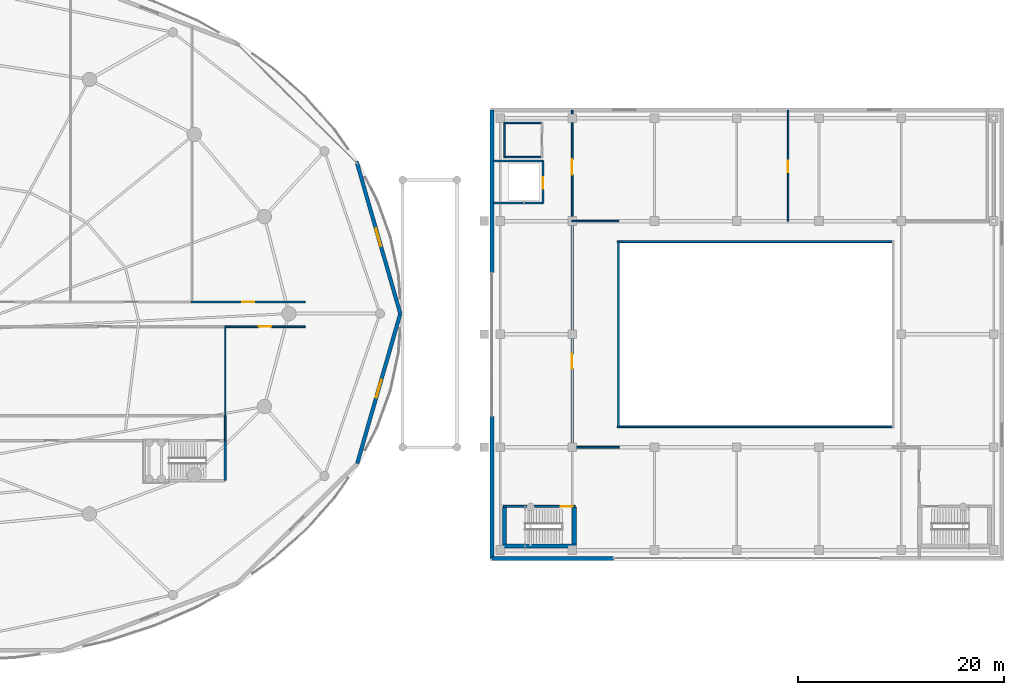
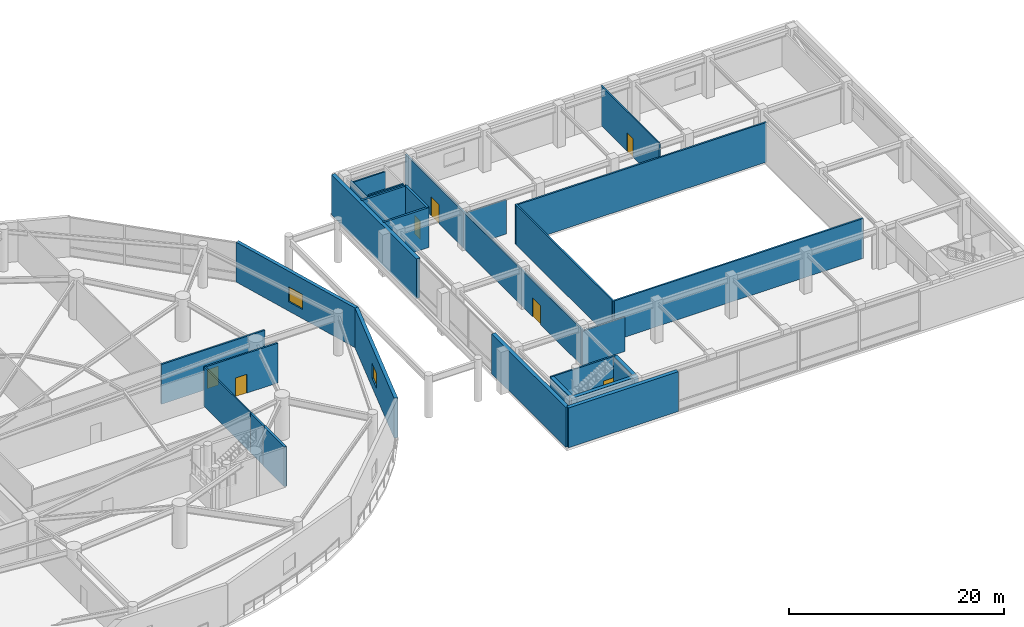
# One storey, part 30 of 40: 28 walls, 7 doors, 2 windows, 9 openings.
"""IFC4 building model written with IfcOpenShell, lengths in metres."""

from ifc_helpers import new_model, si_unit, direction, frame, frame_2d, origin, place, context, subcontext, project, spatial, rectangle, extrude, material, layer, layer_set, type_object, element, fill, save


model = new_model("IFC4")

# Units and contexts
model_context = context("Model", 3, precision=1e-05, world=origin(), true_north=direction((0.0, 1.0)))
body_context = subcontext(model_context, "Body", "Model", "MODEL_VIEW")
ifc_project = project(units=[si_unit("LENGTHUNIT", "METRE"), si_unit("AREAUNIT", "SQUARE_METRE"), si_unit("VOLUMEUNIT", "CUBIC_METRE"), si_unit("PLANEANGLEUNIT", "RADIAN"), si_unit("MASSUNIT", "GRAM", prefix="KILO")], contexts=[model_context])

# Site, building, storey
site_placement = place(None, origin())
site = spatial("IfcSite", under=ifc_project, at=site_placement, CompositionType="ELEMENT")
building_placement = place(site_placement, origin())
building = spatial("IfcBuilding", under=site, at=building_placement, Name="Kazevale Care Tower and Concert Hall", CompositionType="ELEMENT")
storey_placement = place(building_placement, frame((0.0, 0.0, 4.800048828125)))
storey = spatial("IfcBuildingStorey", under=building, at=storey_placement, Name="L01", CompositionType="ELEMENT", Elevation=4.800048828125)

# Walls
ifc_material_1 = material(Name="Acoustic Gypsum on Steel Stud", Category="steel")
ifc_layer_1 = layer(ifc_material_1, 0.139892578125)
ifc_layer_set_1 = layer_set([ifc_layer_1], Name="Acoustic Gypsum on Steel Stud")
wall_type_1 = type_object("IfcWallType", Name="Acoustic Care & Suite Partition 140", PredefinedType="PARTITIONING", material=ifc_layer_set_1)
wall_1_placement = place(storey_placement, frame((70.25, 36.7548828125, 0.0), z_axis=(0.0, 0.0, 1.0), x_axis=(0.0, -1.0, 0.0)))
element("IfcWall", 1, at=wall_1_placement, inside=storey, type_object=wall_type_1, Name="wall:L01:auto_023", PredefinedType="PARTITIONING", context=body_context, shape_type="SweptSolid", body=[
    extrude(rectangle(XDim=8.73486328125, YDim=0.139892578125, at=frame_2d((4.367431640625, 0.0))), origin(), (0.0, 0.0, 1.0), 4.52001953125),
])
wall_2_placement = place(storey_placement, frame((103.969970703125, 47.0, 0.0), z_axis=(0.0, 0.0, 1.0), x_axis=(1.0, 0.0, 0.0)))
element("IfcWall", 2, at=wall_2_placement, inside=storey, type_object=wall_type_1, Name="wall:L01:auto_032", PredefinedType="PARTITIONING", context=body_context, shape_type="SweptSolid", body=[
    extrude(rectangle(XDim=4.56005859375, YDim=0.139892578125, at=frame_2d((2.280029296875, 0.0))), origin(), (0.0, 0.0, 1.0), 3.89892578125),
])

# Wall, opening, door
wall_3_placement = place(storey_placement, frame((125.0, 57.7900390625, 0.0), z_axis=(0.0, 0.0, 1.0), x_axis=(0.0, -1.0, 0.0)))
wall_3 = element("IfcWall", 3, at=wall_3_placement, inside=storey, type_object=wall_type_1, Name="wall:L01:auto_033", PredefinedType="PARTITIONING", context=body_context, shape_type="SweptSolid", body=[
    extrude(rectangle(XDim=10.820068359375, YDim=0.139892578125, at=frame_2d((5.41015625, 0.0))), origin(), (0.0, 0.0, 1.0), 4.52001953125),
])
opening_1_placement = place(wall_3_placement, frame((4.9150390625, 0.0, 0.0)))
opening_1 = element("IfcOpeningElement", 4, at=opening_1_placement, cuts=wall_3, Name="Opening ID-1100", PredefinedType="OPENING", context=body_context, shape_type="SweptSolid", body=[
    extrude(rectangle(XDim=1.10009765625, YDim=2.10009765625, at=frame_2d((0.550048828125, 1.050048828125))), frame((0.0, 0.079833984375, 0.0), z_axis=(0.0, -1.0, 0.0), x_axis=(1.0, 0.0, 0.0)), (0.0, 0.0, 1.0), 0.159912109375),
])
ifc_material_2 = material(Name="Oak Timber Fire Leaf", Category="wood")
door_type_1 = type_object("IfcDoorType", Name="Care Bedroom Accessible Door 1100x2100", OperationType="NOTDEFINED", PredefinedType="DOOR", material=ifc_material_2)
door_1_placement = place(opening_1_placement, origin())
door_1 = element("IfcDoor", 5, at=door_1_placement, inside=storey, type_object=door_type_1, Name="door:L01:ad_033", OperationType="SINGLE_SWING_LEFT", OverallHeight=2.10009765625, OverallWidth=1.10009765625, PredefinedType="DOOR", context=body_context, shape_type="SweptSolid", body=[
    extrude(rectangle(XDim=1.10009765625, YDim=2.10009765625, at=frame_2d((0.550048828125, 1.050048828125))), frame((0.0, 0.02490234375, 0.0), z_axis=(0.0, -1.0, 0.0), x_axis=(1.0, 0.0, 0.0)), (0.0, 0.0, 1.0), 0.050048828125),
])
fill(opening_1, door_1)

# Walls
ifc_material_3 = material(Name="Concrete C40 with Honed Limestone Cladding", Category="masonry")
ifc_layer_2 = layer(ifc_material_3, 0.39990234375)
ifc_layer_set_2 = layer_set([ifc_layer_2], Name="Concrete C40 with Honed Limestone Cladding")
wall_type_2 = type_object("IfcWallType", Name="Concert Hall Acoustic Limestone Wall 400", PredefinedType="STANDARD", material=ifc_layer_set_2)
wall_4_placement = place(storey_placement, frame((96.199951171875, 14.199951171875, 0.0), z_axis=(0.0, 0.0, 1.0), x_axis=(1.0, 0.0, 0.0)))
element("IfcWall", 6, at=wall_4_placement, inside=storey, type_object=wall_type_2, Name="wall:L01:hallew:S1", PredefinedType="STANDARD", context=body_context, shape_type="SweptSolid", body=[
    extrude(rectangle(XDim=11.800048828125, YDim=0.39990234375, at=frame_2d((5.89990234375, 0.0))), origin(), (0.0, 0.0, 1.0), 4.52001953125),
])
wall_5_placement = place(storey_placement, frame((96.199951171875, 57.800048828125, 0.0), z_axis=(0.0, 0.0, 1.0), x_axis=(0.0, -1.0, 0.0)))
element("IfcWall", 7, at=wall_5_placement, inside=storey, type_object=wall_type_2, Name="wall:L01:hallew:W1", PredefinedType="STANDARD", context=body_context, shape_type="SweptSolid", body=[
    extrude(rectangle(XDim=15.800048828125, YDim=0.39990234375, at=frame_2d((7.89990234375, 0.0))), origin(), (0.0, 0.0, 1.0), 4.52001953125),
])
wall_6_placement = place(storey_placement, frame((96.199951171875, 28.0, 0.0), z_axis=(0.0, 0.0, 1.0), x_axis=(0.0, -1.0, 0.0)))
element("IfcWall", 8, at=wall_6_placement, inside=storey, type_object=wall_type_2, Name="wall:L01:hallew:W3", PredefinedType="STANDARD", context=body_context, shape_type="SweptSolid", body=[
    extrude(rectangle(XDim=13.800048828125, YDim=0.39990234375, at=frame_2d((6.89990234375, 0.0))), origin(), (0.0, 0.0, 1.0), 4.52001953125),
])
ifc_material_4 = material(Name="Concrete C50", Category="concrete")
ifc_layer_3 = layer(ifc_material_4, 0.39990234375)
ifc_layer_set_3 = layer_set([ifc_layer_3], Name="Concrete C50")
wall_type_3 = type_object("IfcWallType", Name="Concert Hall Shear Core Wall 400 C50", PredefinedType="SHEAR", material=ifc_layer_set_3)
wall_7_placement = place(storey_placement, frame((97.199951171875, 15.39990234375, 0.0), z_axis=(0.0, 0.0, 1.0), x_axis=(1.0, 0.0, 0.0)))
element("IfcWall", 9, at=wall_7_placement, inside=storey, type_object=wall_type_3, Name="wall:L01:ST4:S", PredefinedType="SHEAR", context=body_context, shape_type="SweptSolid", body=[
    extrude(rectangle(XDim=7.199951171875, YDim=0.39990234375, at=frame_2d((3.60009765625, 0.0))), origin(), (0.0, 0.0, 1.0), 4.52001953125),
])
for number, where, z_axis, x_axis, name in (
    (10, (97.39990234375, 15.60009765625, 0.0), (0.0, 0.0, 1.0), (0.0, 1.0, 0.0), "wall:L01:ST4:W"),
    (11, (104.199951171875, 15.60009765625, 0.0), (0.0, 0.0, 1.0), (0.0, 1.0, 0.0), "wall:L01:ST4:E"),
):
    element("IfcWall", number, at=place(storey_placement, frame(where, z_axis=z_axis, x_axis=x_axis)), inside=storey, type_object=wall_type_3, Name=name, PredefinedType="SHEAR", context=body_context, shape_type="SweptSolid", body=[
        extrude(rectangle(XDim=3.599853515625, YDim=0.39990234375, at=frame_2d((1.7998046875, 0.0))), origin(), (0.0, 0.0, 1.0), 4.52001953125),
    ])
ifc_material_5 = material(Name="Concrete C40", Category="concrete")
ifc_layer_4 = layer(ifc_material_5, 0.219970703125)
ifc_layer_set_4 = layer_set([ifc_layer_4], Name="Concrete C40")
wall_type_4 = type_object("IfcWallType", Name="Elevator Hoistway Shaft Wall 220", PredefinedType="SOLIDWALL", material=ifc_layer_set_4)
for number, where, z_axis, x_axis, name in (
    (12, (96.300048828125, 52.85009765625, 0.0), (0.0, 0.0, 1.0), (1.0, 0.0, 0.0), "wall:L01:hall_chl_n"),
    (13, (96.300048828125, 48.75, 0.0), (0.0, 0.0, 1.0), (1.0, 0.0, 0.0), "wall:L01:hall_chl_s"),
):
    element("IfcWall", number, at=place(storey_placement, frame(where, z_axis=z_axis, x_axis=x_axis)), inside=storey, type_object=wall_type_4, Name=name, PredefinedType="SOLIDWALL", context=body_context, shape_type="SweptSolid", body=[
        extrude(rectangle(XDim=4.89990234375, YDim=0.219970703125, at=frame_2d((2.449951171875, 0.0))), origin(), (0.0, 0.0, 1.0), 4.52001953125),
    ])

# Wall, opening, door
wall_8_placement = place(storey_placement, frame((101.14990234375, 48.75, 0.0), z_axis=(0.0, 0.0, 1.0), x_axis=(0.0, 1.0, 0.0)))
wall_8 = element("IfcWall", 14, at=wall_8_placement, inside=storey, type_object=wall_type_4, Name="wall:L01:hall_chl_e", PredefinedType="SOLIDWALL", context=body_context, shape_type="SweptSolid", body=[
    extrude(rectangle(XDim=4.10009765625, YDim=0.219970703125, at=frame_2d((2.050048828125, 0.0))), origin(), (0.0, 0.0, 1.0), 4.52001953125),
])
opening_2_placement = place(wall_8_placement, frame((1.39990234375, 0.0, 0.0)))
opening_2 = element("IfcOpeningElement", 15, at=opening_2_placement, cuts=wall_8, Name="Opening LD-PAX", PredefinedType="OPENING", context=body_context, shape_type="SweptSolid", body=[
    extrude(rectangle(XDim=1.10009765625, YDim=2.10009765625, at=frame_2d((0.550048828125, 1.050048828125))), frame((0.0, 0.119873046875, 0.0), z_axis=(0.0, -1.0, 0.0), x_axis=(1.0, 0.0, 0.0)), (0.0, 0.0, 1.0), 0.239990234375),
])
ifc_material_6 = material(Name="Stainless Steel 316", Category="steel")
door_type_2 = type_object("IfcDoorType", Name="Passenger Lift Sliding Landing Door 1100x2100", OperationType="NOTDEFINED", PredefinedType="DOOR", material=ifc_material_6)
door_2_placement = place(opening_2_placement, origin())
door_2 = element("IfcDoor", 16, at=door_2_placement, inside=storey, type_object=door_type_2, Name="door:L01:ld_chl1", OperationType="SLIDING_TO_LEFT", OverallHeight=2.10009765625, OverallWidth=1.10009765625, PredefinedType="DOOR", context=body_context, shape_type="SweptSolid", body=[
    extrude(rectangle(XDim=1.10009765625, YDim=2.10009765625, at=frame_2d((0.550048828125, 1.050048828125))), frame((0.0, 0.02490234375, 0.0), z_axis=(0.0, -1.0, 0.0), x_axis=(1.0, 0.0, 0.0)), (0.0, 0.0, 1.0), 0.050048828125),
])
fill(opening_2, door_2)

ifc_material_7 = material(Name="Concrete C40 and Acoustic Gypsum", Category="concrete")
ifc_layer_5 = layer(ifc_material_7, 0.179931640625)
ifc_layer_set_5 = layer_set([ifc_layer_5], Name="Concrete C40 and Acoustic Gypsum")
wall_type_5 = type_object("IfcWallType", Name="Fire-Rated Corridor & Party Wall 180", PredefinedType="PARTITIONING", material=ifc_layer_set_5)
wall_9_placement = place(storey_placement, frame((66.93505859375, 39.125, 0.0), z_axis=(0.0, 0.0, 1.0), x_axis=(1.0, 0.0, 0.0)))
wall_9 = element("IfcWall", 17, at=wall_9_placement, inside=storey, type_object=wall_type_5, Name="wall:L01:auto_006", PredefinedType="PARTITIONING", context=body_context, shape_type="SweptSolid", body=[
    extrude(rectangle(XDim=11.094970703125, YDim=0.179931640625, at=frame_2d((5.54736328125, 0.0))), origin(), (0.0, 0.0, 1.0), 4.52001953125),
])
opening_3_placement = place(wall_9_placement, frame((4.947998046875, 0.0, 0.0)))
opening_3 = element("IfcOpeningElement", 18, at=opening_3_placement, cuts=wall_9, Name="Opening ID-1200", PredefinedType="OPENING", context=body_context, shape_type="SweptSolid", body=[
    extrude(rectangle(XDim=1.199951171875, YDim=2.14990234375, at=frame_2d((0.60009765625, 1.074951171875))), frame((0.0, 0.099853515625, 0.0), z_axis=(0.0, -1.0, 0.0), x_axis=(1.0, 0.0, 0.0)), (0.0, 0.0, 1.0), 0.199951171875),
])
door_type_3 = type_object("IfcDoorType", Name="Clinical & Therapy Door 1200x2150", OperationType="NOTDEFINED", PredefinedType="DOOR", material=ifc_material_2)
door_3_placement = place(opening_3_placement, origin())
door_3 = element("IfcDoor", 19, at=door_3_placement, inside=storey, type_object=door_type_3, Name="door:L01:ad_006", OperationType="SINGLE_SWING_LEFT", OverallHeight=2.14990234375, OverallWidth=1.199951171875, PredefinedType="DOOR", context=body_context, shape_type="SweptSolid", body=[
    extrude(rectangle(XDim=1.199951171875, YDim=2.14990234375, at=frame_2d((0.60009765625, 1.074951171875))), frame((0.0, 0.02490234375, 0.0), z_axis=(0.0, -1.0, 0.0), x_axis=(1.0, 0.0, 0.0)), (0.0, 0.0, 1.0), 0.050048828125),
])
fill(opening_3, door_3)

wall_10_placement = place(storey_placement, frame((78.030029296875, 36.72509765625, 0.0), z_axis=(0.0, 0.0, 1.0), x_axis=(-1.0, 0.0, 0.0)))
wall_10 = element("IfcWall", 20, at=wall_10_placement, inside=storey, type_object=wall_type_5, Name="wall:L01:auto_011", PredefinedType="PARTITIONING", context=body_context, shape_type="SweptSolid", body=[
    extrude(rectangle(XDim=7.844970703125, YDim=0.179931640625, at=frame_2d((3.92236328125, 0.0))), origin(), (0.0, 0.0, 1.0), 4.52001953125),
])
opening_4_placement = place(wall_10_placement, frame((3.322021484375, 0.0, 0.0)))
opening_4 = element("IfcOpeningElement", 21, at=opening_4_placement, cuts=wall_10, Name="Opening ID-1200", PredefinedType="OPENING", context=body_context, shape_type="SweptSolid", body=[
    extrude(rectangle(XDim=1.199951171875, YDim=2.14990234375, at=frame_2d((0.60009765625, 1.074951171875))), frame((0.0, 0.099853515625, 0.0), z_axis=(0.0, -1.0, 0.0), x_axis=(1.0, 0.0, 0.0)), (0.0, 0.0, 1.0), 0.199951171875),
])
door_4_placement = place(opening_4_placement, origin())
door_4 = element("IfcDoor", 22, at=door_4_placement, inside=storey, type_object=door_type_3, Name="door:L01:ad_011", OperationType="SINGLE_SWING_LEFT", OverallHeight=2.14990234375, OverallWidth=1.199951171875, PredefinedType="DOOR", context=body_context, shape_type="SweptSolid", body=[
    extrude(rectangle(XDim=1.199951171875, YDim=2.14990234375, at=frame_2d((0.60009765625, 1.074951171875))), frame((0.0, 0.02490234375, 0.0), z_axis=(0.0, -1.0, 0.0), x_axis=(1.0, 0.0, 0.0)), (0.0, 0.0, 1.0), 0.050048828125),
])
fill(opening_4, door_4)

# Wall
wall_11_placement = place(storey_placement, frame((70.25, 28.080078125, 0.0), z_axis=(0.0, 0.0, 1.0), x_axis=(0.0, -1.0, 0.0)))
element("IfcWall", 23, at=wall_11_placement, inside=storey, type_object=wall_type_5, Name="wall:L01:auto_012", PredefinedType="PARTITIONING", context=body_context, shape_type="SweptSolid", body=[
    extrude(rectangle(XDim=2.4599609375, YDim=0.179931640625, at=frame_2d((1.22998046875, 0.0))), origin(), (0.0, 0.0, 1.0), 4.52001953125),
])

# Wall, opening, door
wall_12_placement = place(storey_placement, frame((97.300048828125, 19.25, 0.0), z_axis=(0.0, 0.0, 1.0), x_axis=(1.0, 0.0, 0.0)))
wall_12 = element("IfcWall", 24, at=wall_12_placement, inside=storey, type_object=wall_type_5, Name="wall:L01:hall_st4_n", PredefinedType="PARTITIONING", context=body_context, shape_type="SweptSolid", body=[
    extrude(rectangle(XDim=7.0, YDim=0.179931640625, at=frame_2d((3.5, 0.0))), origin(), (0.0, 0.0, 1.0), 4.52001953125),
])
opening_5_placement = place(wall_12_placement, frame((5.610107421875, 0.0, 0.0)))
opening_5 = element("IfcOpeningElement", 25, at=opening_5_placement, cuts=wall_12, Name="Opening FD-90", PredefinedType="OPENING", context=body_context, shape_type="SweptSolid", body=[
    extrude(rectangle(XDim=1.14990234375, YDim=2.10009765625, at=frame_2d((0.574951171875, 1.050048828125))), frame((0.0, 0.099853515625, 0.0), z_axis=(0.0, -1.0, 0.0), x_axis=(1.0, 0.0, 0.0)), (0.0, 0.0, 1.0), 0.199951171875),
])
ifc_material_8 = material(Name="Steel ASTM A572 Gr 50", Category="steel")
door_type_4 = type_object("IfcDoorType", Name="Pressurized Stair & Lobby Fire Door 1150x2100", OperationType="NOTDEFINED", PredefinedType="DOOR", material=ifc_material_8)
door_5_placement = place(opening_5_placement, origin())
door_5 = element("IfcDoor", 26, at=door_5_placement, inside=storey, type_object=door_type_4, Name="door:L01:hst4", OperationType="SINGLE_SWING_RIGHT", OverallHeight=2.10009765625, OverallWidth=1.14990234375, PredefinedType="DOOR", context=body_context, shape_type="SweptSolid", body=[
    extrude(rectangle(XDim=1.14990234375, YDim=2.10009765625, at=frame_2d((0.574951171875, 1.050048828125))), frame((0.0, 0.02490234375, 0.0), z_axis=(0.0, -1.0, 0.0), x_axis=(1.0, 0.0, 0.0)), (0.0, 0.0, 1.0), 0.050048828125),
])
fill(opening_5, door_5)

# Walls
for number, where, z_axis, x_axis, name in (
    (27, (108.39990234375, 27.0, 0.0), (0.0, 0.0, 1.0), (1.0, 0.0, 0.0), "wall:L01:hvoid_s"),
    (28, (108.39990234375, 45.0, 0.0), (0.0, 0.0, 1.0), (1.0, 0.0, 0.0), "wall:L01:hvoid_n"),
):
    element("IfcWall", number, at=place(storey_placement, frame(where, z_axis=z_axis, x_axis=x_axis)), inside=storey, type_object=wall_type_5, Name=name, PredefinedType="PARTITIONING", context=body_context, shape_type="SweptSolid", body=[
        extrude(rectangle(XDim=26.900146484375, YDim=0.179931640625, at=frame_2d((13.4501953125, 0.0))), origin(), (0.0, 0.0, 1.0), 4.52001953125),
    ])
wall_13_placement = place(storey_placement, frame((108.5, 26.89990234375, 0.0), z_axis=(0.0, 0.0, 1.0), x_axis=(0.0, 1.0, 0.0)))
element("IfcWall", 29, at=wall_13_placement, inside=storey, type_object=wall_type_5, Name="wall:L01:hvoid_w", PredefinedType="PARTITIONING", context=body_context, shape_type="SweptSolid", body=[
    extrude(rectangle(XDim=18.2001953125, YDim=0.179931640625, at=frame_2d((9.10009765625, 0.0))), origin(), (0.0, 0.0, 1.0), 4.52001953125),
])

# Wall, opening, door
wall_14_placement = place(storey_placement, frame((104.0, 47.06494140625, 0.0), z_axis=(0.0, 0.0, 1.0), x_axis=(0.0, -1.0, 0.0)))
wall_14 = element("IfcWall", 30, at=wall_14_placement, inside=storey, type_object=wall_type_5, Name="wall:L01:auto_026", PredefinedType="PARTITIONING", context=body_context, shape_type="SweptSolid", body=[
    extrude(rectangle(XDim=22.094970703125, YDim=0.179931640625, at=frame_2d((11.04736328125, 0.0))), origin(), (0.0, 0.0, 1.0), 4.093017578125),
])
opening_6_placement = place(wall_14_placement, frame((12.947998046875, 0.0, 0.0)))
opening_6 = element("IfcOpeningElement", 31, at=opening_6_placement, cuts=wall_14, Name="Opening FD-60D", PredefinedType="OPENING", context=body_context, shape_type="SweptSolid", body=[
    extrude(rectangle(XDim=1.5, YDim=2.14990234375, at=frame_2d((0.75, 1.074951171875))), frame((0.0, 0.099853515625, 0.0), z_axis=(0.0, -1.0, 0.0), x_axis=(1.0, 0.0, 0.0)), (0.0, 0.0, 1.0), 0.199951171875),
])
door_type_5 = type_object("IfcDoorType", Name="Double Lobby & Auditorium Fire Door 1500x2150", OperationType="NOTDEFINED", PredefinedType="DOOR", material=ifc_material_2)
door_6_placement = place(opening_6_placement, origin())
door_6 = element("IfcDoor", 32, at=door_6_placement, inside=storey, type_object=door_type_5, Name="door:L01:ad_026", OperationType="DOUBLE_DOOR_SINGLE_SWING", OverallHeight=2.14990234375, OverallWidth=1.5, PredefinedType="DOOR", context=body_context, shape_type="SweptSolid", body=[
    extrude(rectangle(XDim=1.5, YDim=2.14990234375, at=frame_2d((0.75, 1.074951171875))), frame((0.0, 0.02490234375, 0.0), z_axis=(0.0, -1.0, 0.0), x_axis=(1.0, 0.0, 0.0)), (0.0, 0.0, 1.0), 0.050048828125),
])
fill(opening_6, door_6)

# Wall
wall_15_placement = place(storey_placement, frame((103.969970703125, 25.0, 0.0), z_axis=(0.0, 0.0, 1.0), x_axis=(1.0, 0.0, 0.0)))
element("IfcWall", 33, at=wall_15_placement, inside=storey, type_object=wall_type_5, Name="wall:L01:auto_027", PredefinedType="PARTITIONING", context=body_context, shape_type="SweptSolid", body=[
    extrude(rectangle(XDim=4.594970703125, YDim=0.179931640625, at=frame_2d((2.29736328125, 0.0))), origin(), (0.0, 0.0, 1.0), 3.89892578125),
])

# Wall, opening, door
wall_16_placement = place(storey_placement, frame((104.0, 57.7900390625, 0.0), z_axis=(0.0, 0.0, 1.0), x_axis=(0.0, -1.0, 0.0)))
wall_16 = element("IfcWall", 34, at=wall_16_placement, inside=storey, type_object=wall_type_5, Name="wall:L01:auto_028", PredefinedType="PARTITIONING", context=body_context, shape_type="SweptSolid", body=[
    extrude(rectangle(XDim=10.85498046875, YDim=0.179931640625, at=frame_2d((5.427490234375, 0.0))), origin(), (0.0, 0.0, 1.0), 4.093017578125),
])
opening_7_placement = place(wall_16_placement, frame((4.781982421875, 0.0, 0.0)))
opening_7 = element("IfcOpeningElement", 35, at=opening_7_placement, cuts=wall_16, Name="Opening FD-60D", PredefinedType="OPENING", context=body_context, shape_type="SweptSolid", body=[
    extrude(rectangle(XDim=1.5, YDim=2.14990234375, at=frame_2d((0.75, 1.074951171875))), frame((0.0, 0.099853515625, 0.0), z_axis=(0.0, -1.0, 0.0), x_axis=(1.0, 0.0, 0.0)), (0.0, 0.0, 1.0), 0.199951171875),
])
door_7_placement = place(opening_7_placement, origin())
door_7 = element("IfcDoor", 36, at=door_7_placement, inside=storey, type_object=door_type_5, Name="door:L01:ad_028", OperationType="DOUBLE_DOOR_SINGLE_SWING", OverallHeight=2.14990234375, OverallWidth=1.5, PredefinedType="DOOR", context=body_context, shape_type="SweptSolid", body=[
    extrude(rectangle(XDim=1.5, YDim=2.14990234375, at=frame_2d((0.75, 1.074951171875))), frame((0.0, 0.02490234375, 0.0), z_axis=(0.0, -1.0, 0.0), x_axis=(1.0, 0.0, 0.0)), (0.0, 0.0, 1.0), 0.050048828125),
])
fill(opening_7, door_7)

# Walls
ifc_layer_6 = layer(ifc_material_1, 0.159912109375)
ifc_layer_set_6 = layer_set([ifc_layer_6], Name="Acoustic Gypsum on Steel Stud")
wall_type_6 = type_object("IfcWallType", Name="Moisture-Resistant Bathroom Plumbing Wall 160", PredefinedType="PLUMBINGWALL", material=ifc_layer_set_6)
wall_17_placement = place(storey_placement, frame((97.360107421875, 53.219970703125, 0.0), z_axis=(0.0, 0.0, 1.0), x_axis=(1.0, 0.0, 0.0)))
element("IfcWall", 37, at=wall_17_placement, inside=storey, type_object=wall_type_6, Name="wall:L01:hall_wc_ws", PredefinedType="PLUMBINGWALL", context=body_context, shape_type="SweptSolid", body=[
    extrude(rectangle(XDim=3.72998046875, YDim=0.159912109375, at=frame_2d((1.864990234375, 0.0))), origin(), (0.0, 0.0, 1.0), 4.52001953125),
])
wall_18_placement = place(storey_placement, frame((97.360107421875, 56.550048828125, 0.0), z_axis=(0.0, 0.0, 1.0), x_axis=(1.0, 0.0, 0.0)))
element("IfcWall", 38, at=wall_18_placement, inside=storey, type_object=wall_type_6, Name="wall:L01:hall_wc_wn", PredefinedType="PLUMBINGWALL", context=body_context, shape_type="SweptSolid", body=[
    extrude(rectangle(XDim=3.72998046875, YDim=0.159912109375, at=frame_2d((1.864990234375, 0.0))), origin(), (0.0, 0.0, 1.0), 3.89892578125),
])
wall_19_placement = place(storey_placement, frame((97.39990234375, 53.179931640625, 0.0), z_axis=(0.0, 0.0, 1.0), x_axis=(0.0, 1.0, 0.0)))
element("IfcWall", 39, at=wall_19_placement, inside=storey, type_object=wall_type_6, Name="wall:L01:hall_wc_ww", PredefinedType="PLUMBINGWALL", context=body_context, shape_type="SweptSolid", body=[
    extrude(rectangle(XDim=3.41015625, YDim=0.159912109375, at=frame_2d((1.705078125, 0.0))), origin(), (0.0, 0.0, 1.0), 4.093017578125),
])

# Wall, opening, window
ifc_layer_7 = layer(ifc_material_3, 0.360107421875)
ifc_layer_set_7 = layer_set([ifc_layer_7], Name="Concrete C40 with Honed Limestone Cladding")
wall_type_7 = type_object("IfcWallType", Name="Podium Insulated Limestone Wall 360", PredefinedType="STANDARD", material=ifc_layer_set_7)
wall_20_placement = place(storey_placement, frame((87.280029296875, 38.0, 0.0), z_axis=(0.0, 0.0, 1.0), x_axis=(-0.276203409751, 0.961099202186, 0.0)))
wall_20 = element("IfcWall", 40, at=wall_20_placement, inside=storey, type_object=wall_type_7, Name="wall:L01:podew:01", PredefinedType="STANDARD", context=body_context, shape_type="SweptSolid", body=[
    extrude(rectangle(XDim=15.419921875, YDim=0.360107421875, at=frame_2d((7.7099609375, 0.0))), origin(), (0.0, 0.0, 1.0), 4.52001953125),
])
opening_8_placement = place(wall_20_placement, frame((6.81005859375, 0.0, 1.050048828125)))
opening_8 = element("IfcOpeningElement", 41, at=opening_8_placement, cuts=wall_20, Name="Opening WIN-2", PredefinedType="OPENING", context=body_context, shape_type="SweptSolid", body=[
    extrude(rectangle(XDim=1.800048828125, YDim=1.699951171875, at=frame_2d((0.89990234375, 0.85009765625))), frame((0.0, 0.18994140625, 0.0), z_axis=(0.0, -1.0, 0.0), x_axis=(1.0, 0.0, 0.0)), (0.0, 0.0, 1.0), 0.380126953125),
])
ifc_material_9 = material(Name="Low-E Laminated Glass", Category="glass")
window_type = type_object("IfcWindowType", Name="Clinical Punched Window 1800x1700", PartitioningType="DOUBLE_PANEL_VERTICAL", PredefinedType="WINDOW", material=ifc_material_9)
window_1_placement = place(opening_8_placement, origin())
window_1 = element("IfcWindow", 42, at=window_1_placement, inside=storey, type_object=window_type, Name="win:L01:pod:01", OverallHeight=1.699951171875, OverallWidth=1.800048828125, PartitioningType="SINGLE_PANEL", PredefinedType="WINDOW", context=body_context, shape_type="SweptSolid", body=[
    extrude(rectangle(XDim=1.800048828125, YDim=1.699951171875, at=frame_2d((0.89990234375, 0.85009765625))), frame((0.0, 0.030029296875, 0.0), z_axis=(0.0, -1.0, 0.0), x_axis=(1.0, 0.0, 0.0)), (0.0, 0.0, 1.0), 0.06005859375),
])
fill(opening_8, window_1)

wall_21_placement = place(storey_placement, frame((83.093017578125, 23.429931640625, 0.0), z_axis=(0.0, 0.0, 1.0), x_axis=(0.276192699339, 0.961102280109, 0.0)))
wall_21 = element("IfcWall", 43, at=wall_21_placement, inside=storey, type_object=wall_type_7, Name="wall:L01:podew:14", PredefinedType="STANDARD", context=body_context, shape_type="SweptSolid", body=[
    extrude(rectangle(XDim=15.15966796875, YDim=0.360107421875, at=frame_2d((7.579833984375, 0.0))), origin(), (0.0, 0.0, 1.0), 4.52001953125),
])
opening_9_placement = place(wall_21_placement, frame((6.679931640625, 0.0, 1.050048828125)))
opening_9 = element("IfcOpeningElement", 44, at=opening_9_placement, cuts=wall_21, Name="Opening WIN-2", PredefinedType="OPENING", context=body_context, shape_type="SweptSolid", body=[
    extrude(rectangle(XDim=1.800048828125, YDim=1.699951171875, at=frame_2d((0.89990234375, 0.85009765625))), frame((0.0, 0.18994140625, 0.0), z_axis=(0.0, -1.0, 0.0), x_axis=(1.0, 0.0, 0.0)), (0.0, 0.0, 1.0), 0.380126953125),
])
window_2_placement = place(opening_9_placement, origin())
window_2 = element("IfcWindow", 45, at=window_2_placement, inside=storey, type_object=window_type, Name="win:L01:pod:14", OverallHeight=1.699951171875, OverallWidth=1.800048828125, PartitioningType="SINGLE_PANEL", PredefinedType="WINDOW", context=body_context, shape_type="SweptSolid", body=[
    extrude(rectangle(XDim=1.800048828125, YDim=1.699951171875, at=frame_2d((0.89990234375, 0.85009765625))), frame((0.0, 0.030029296875, 0.0), z_axis=(0.0, -1.0, 0.0), x_axis=(1.0, 0.0, 0.0)), (0.0, 0.0, 1.0), 0.06005859375),
])
fill(opening_9, window_2)

# Wall
ifc_layer_8 = layer(ifc_material_5, 0.25)
ifc_layer_set_8 = layer_set([ifc_layer_8], Name="Concrete C40")
wall_type_8 = type_object("IfcWallType", Name="Pressurized Stair Shaft Wall 250", PredefinedType="SOLIDWALL", material=ifc_layer_set_8)
wall_22_placement = place(storey_placement, frame((70.25, 21.75, 0.0), z_axis=(0.0, 0.0, 1.0), x_axis=(0.0, 1.0, 0.0)))
element("IfcWall", 46, at=wall_22_placement, inside=storey, type_object=wall_type_8, Name="wall:L01:pod_st3_e", PredefinedType="SOLIDWALL", context=body_context, shape_type="SweptSolid", body=[
    extrude(rectangle(XDim=3.89990234375, YDim=0.25, at=frame_2d((1.949951171875, 0.0))), origin(), (0.0, 0.0, 1.0), 4.52001953125),
])

save(model, "model.ifc")
